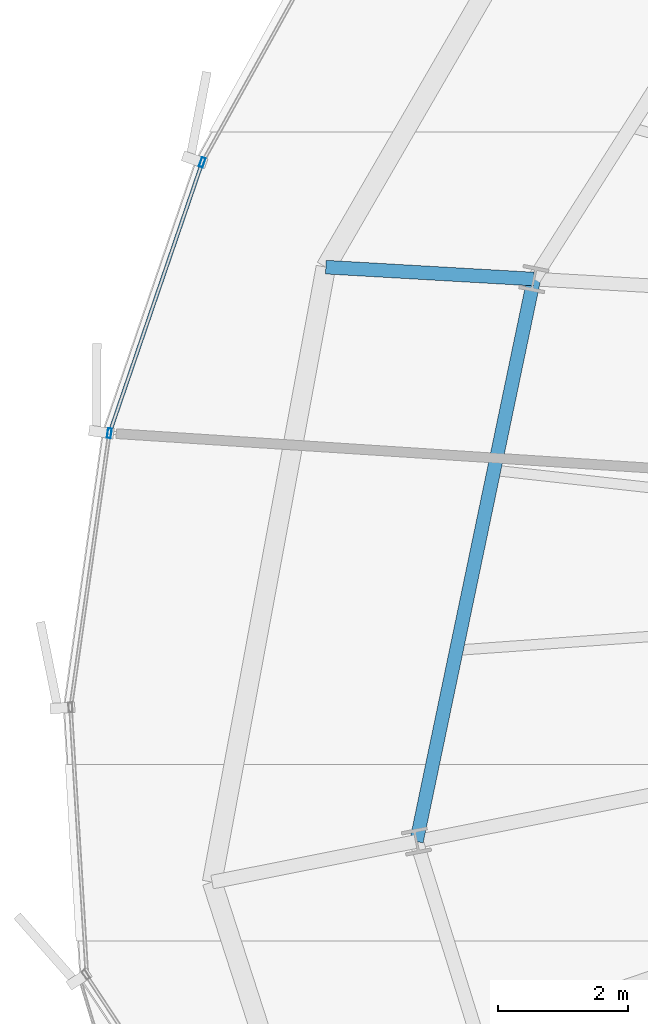
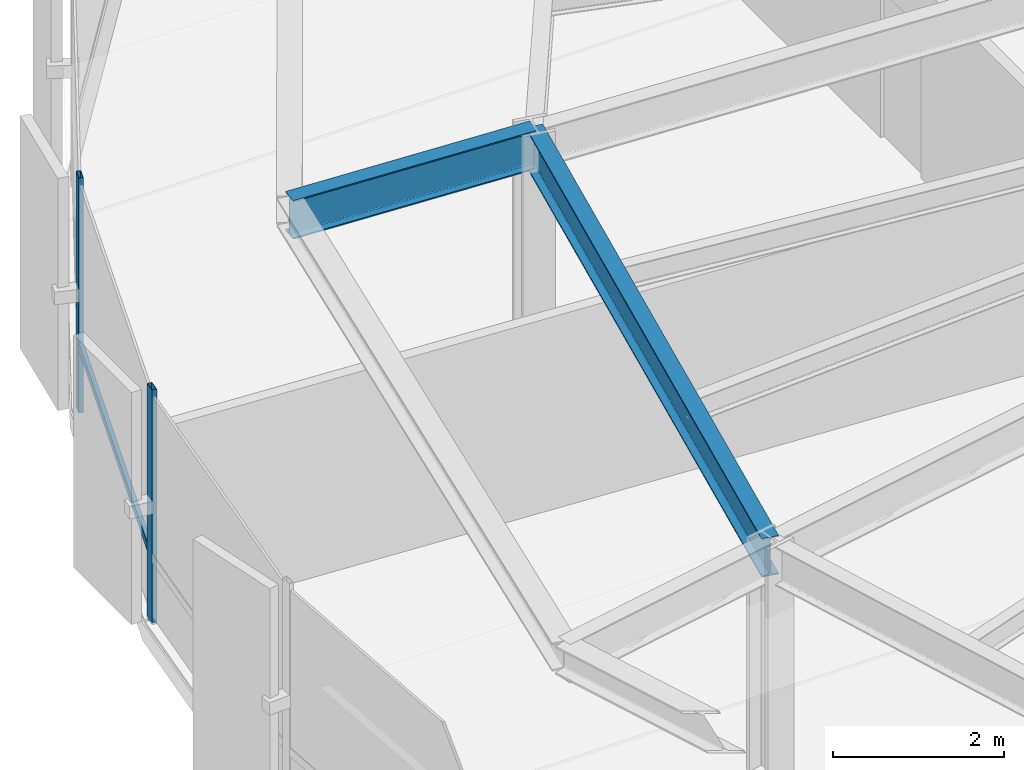
# One storey, part 9 of 35: 3 members, 2 beams, 1 element without a shape of its own.
"""IFC4 building model written with IfcOpenShell, lengths in metres."""

from ifc_helpers import new_model, si_unit, direction, frame, origin, origin_2d, place, context, subcontext, project, spatial, hollow_rectangle, i_section, extrude, source, transform, mapped, material, layer, layer_set, material_profile, profile_set, type_object, element, aggregate, save


model = new_model("IFC4")

# Units and contexts
model_context = context("Model", 3, precision=1e-05, world=origin(), true_north=direction((0.0, 1.0)))
body_context = subcontext(model_context, "Body", "Model", "MODEL_VIEW")
ifc_project = project(units=[si_unit("LENGTHUNIT", "METRE"), si_unit("AREAUNIT", "SQUARE_METRE"), si_unit("VOLUMEUNIT", "CUBIC_METRE"), si_unit("PLANEANGLEUNIT", "RADIAN"), si_unit("MASSUNIT", "GRAM", prefix="KILO"), si_unit("THERMODYNAMICTEMPERATUREUNIT", "KELVIN")], contexts=[model_context])

# Site, building, storey
site_placement = place(None, origin())
site = spatial("IfcSite", under=ifc_project, at=site_placement, CompositionType="ELEMENT")
building_placement = place(site_placement, origin())
building = spatial("IfcBuilding", under=site, at=building_placement, Name="Kethvar Cultural Tower", CompositionType="ELEMENT")
storey_placement = place(building_placement, frame((0.0, 0.0, 121.60009765625)))
storey = spatial("IfcBuildingStorey", under=building, at=storey_placement, Name="L30", CompositionType="ELEMENT", Elevation=121.60009765625)

# Beams
ifc_material_1 = material(Name="Steel S355J2", Category="steel")
ifc_material_profile_1 = material_profile(ifc_material_1, i_section(OverallWidth=0.2099609375, OverallDepth=0.550048828125, WebThickness=0.010986328125, FlangeThickness=0.01708984375, FilletRadius=0.02392578125, at=origin_2d()), Name="Steel S355J2 — IPE550")
ifc_profile_set_1 = profile_set([ifc_material_profile_1], Name="Steel S355J2 — IPE550")
beam_type = type_object("IfcBeamType", Name="BM-IPE550", PredefinedType="BEAM", material=ifc_profile_set_1)
shared_shape_1 = source(origin(), body_context, "Body", "SweptSolid", [
    extrude(i_section(OverallWidth=0.2099609375, OverallDepth=0.550048828125, WebThickness=0.010986328125, FlangeThickness=0.01708984375, FilletRadius=0.02392578125, at=origin_2d()), origin(), (0.0, 0.0, 1.0), 3.2001953125),
])
beam_1_placement = place(storey_placement, frame((25.988525390625, 31.939697265625, 3.072998046875), z_axis=(-0.998357274949, 0.057295301352, 0.0), x_axis=(-0.057295301352, -0.998357274949, 0.0)))
element("IfcBeam", 1, at=beam_1_placement, inside=storey, type_object=beam_type, Name="L30 Perimeter Cantilever Beam RC-08", PredefinedType="BEAM", context=body_context, shape_type="MappedRepresentation", body=[
    mapped(shared_shape_1, transform((0.0, 0.0, 0.0), scale=1.0)),
])
shared_shape_2 = source(origin(), body_context, "Body", "SweptSolid", [
    extrude(i_section(OverallWidth=0.2099609375, OverallDepth=0.550048828125, WebThickness=0.010986328125, FlangeThickness=0.01708984375, FilletRadius=0.02392578125, at=origin_2d()), origin(), (0.0, 0.0, 1.0), 8.82421875),
])
beam_2_placement = place(storey_placement, frame((25.988525390625, 31.939697265625, 3.072998046875), z_axis=(-0.204350879122, -0.978897705688, 0.0), x_axis=(0.978897705688, -0.204350879122, 0.0)))
element("IfcBeam", 2, at=beam_2_placement, inside=storey, type_object=beam_type, Name="L30 Column Ring Tie Beam CR-08", PredefinedType="BEAM", context=body_context, shape_type="MappedRepresentation", body=[
    mapped(shared_shape_2, transform((0.0, 0.0, 0.0), scale=1.0)),
])

# Curtain wall, members
ifc_material_2 = material(Name="Aluminium 6063-T6", Category="aluminium")
ifc_layer = layer(ifc_material_2, 0.179931640625, Name="Aluminium 6063-T6", Category="aluminium")
ifc_layer_set = layer_set([ifc_layer], Name="Aluminium 6063-T6 (180 mm)")
curtain_wall_type = type_object("IfcCurtainWallType", Name="CW-SYS-03-Z2", PredefinedType="NOTDEFINED", material=ifc_layer_set)
curtain_wall_placement = place(storey_placement, origin())
curtain_wall = element("IfcCurtainWall", 3, at=curtain_wall_placement, inside=storey, type_object=curtain_wall_type, Name="L30 Curtain Wall Run 03", PredefinedType="NOTDEFINED")
ifc_material_profile_2 = material_profile(ifc_material_2, hollow_rectangle(XDim=0.06005859375, YDim=0.14990234375, WallThickness=0.0048828125, at=origin_2d()), Name="Aluminium 6063-T6 — RHS150x60x5")
ifc_profile_set_2 = profile_set([ifc_material_profile_2], Name="Aluminium 6063-T6 — RHS150x60x5")
member_type_1 = type_object("IfcMemberType", Name="CW-SYS-03-Z2-MUL", PredefinedType="MULLION", material=ifc_profile_set_2)
shared_shape_3 = source(origin(), body_context, "Body", "SweptSolid", [
    extrude(hollow_rectangle(XDim=0.06005859375, YDim=0.14990234375, WallThickness=0.0048828125, at=origin_2d()), origin(), (0.0, 0.0, 1.0), 3.349853515625),
])
member_1_placement = place(storey_placement, frame((20.895263671875, 33.731689453125, 0.0), z_axis=(0.0, 0.0, 1.0), x_axis=(0.9460740514, -0.32395044261, 0.0)))
member_1 = element("IfcMember", 4, at=member_1_placement, type_object=member_type_1, Name="CW-L30-R03 Mullion 3", PredefinedType="MULLION", context=body_context, shape_type="MappedRepresentation", body=[
    mapped(shared_shape_3, transform((0.0, 0.0, 0.0), scale=1.0)),
])
member_2_placement = place(storey_placement, frame((19.46875, 29.572265625, 0.0), z_axis=(0.0, 0.0, 1.0), x_axis=(0.990190185376, -0.13972614925, 0.0)))
member_2 = element("IfcMember", 5, at=member_2_placement, type_object=member_type_1, Name="CW-L30-R03 Mullion 4", PredefinedType="MULLION", context=body_context, shape_type="MappedRepresentation", body=[
    mapped(shared_shape_3, transform((0.0, 0.0, 0.0), scale=1.0)),
])
ifc_material_profile_3 = material_profile(ifc_material_2, hollow_rectangle(XDim=0.054931640625, YDim=0.1201171875, WallThickness=0.00390625, at=origin_2d()), Name="Aluminium 6063-T6 — RHS120x55x4")
ifc_profile_set_3 = profile_set([ifc_material_profile_3], Name="Aluminium 6063-T6 — RHS120x55x4")
member_type_2 = type_object("IfcMemberType", Name="CW-SYS-03-Z2-TRN", PredefinedType="USERDEFINED", material=ifc_profile_set_3)
shared_shape_4 = source(origin(), body_context, "Body", "SweptSolid", [
    extrude(hollow_rectangle(XDim=0.054931640625, YDim=0.1201171875, WallThickness=0.00390625, at=origin_2d()), origin(), (0.0, 0.0, 1.0), 4.332763671875),
])
member_3_placement = place(storey_placement, frame((20.881103515625, 33.69091796875, 0.949951171875), z_axis=(-0.323892105709, -0.946094024851, 0.0), x_axis=(0.946094024851, -0.323892105709, 0.0)))
member_3 = element("IfcMember", 6, at=member_3_placement, type_object=member_type_2, Name="CW-L30-R03 Transom 3", ObjectType="TRANSOM", PredefinedType="USERDEFINED", context=body_context, shape_type="MappedRepresentation", body=[
    mapped(shared_shape_4, transform((0.0, 0.0, 0.0), scale=1.0)),
])
aggregate(curtain_wall, [member_1, member_2, member_3])

save(model, "model.ifc")
